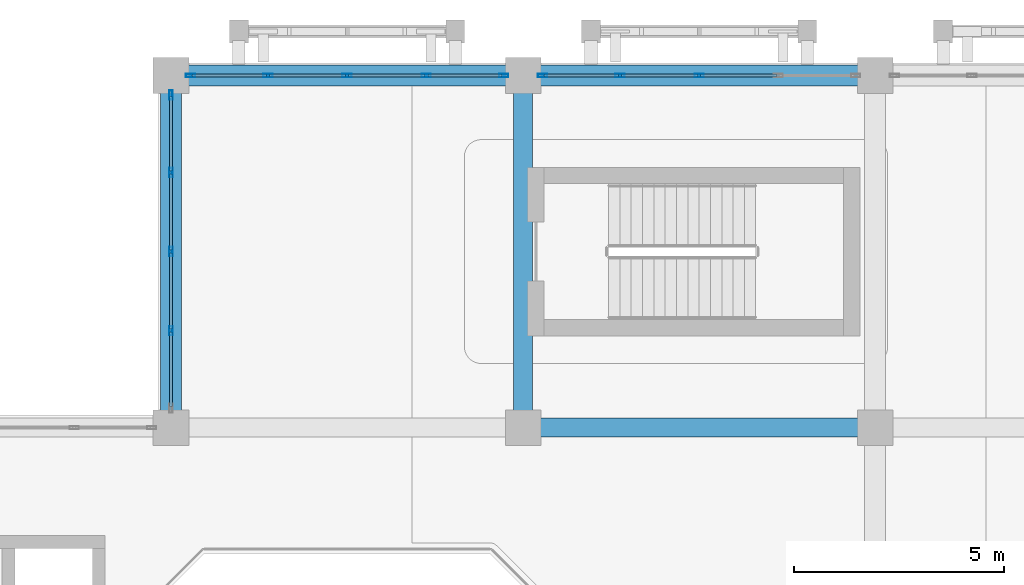
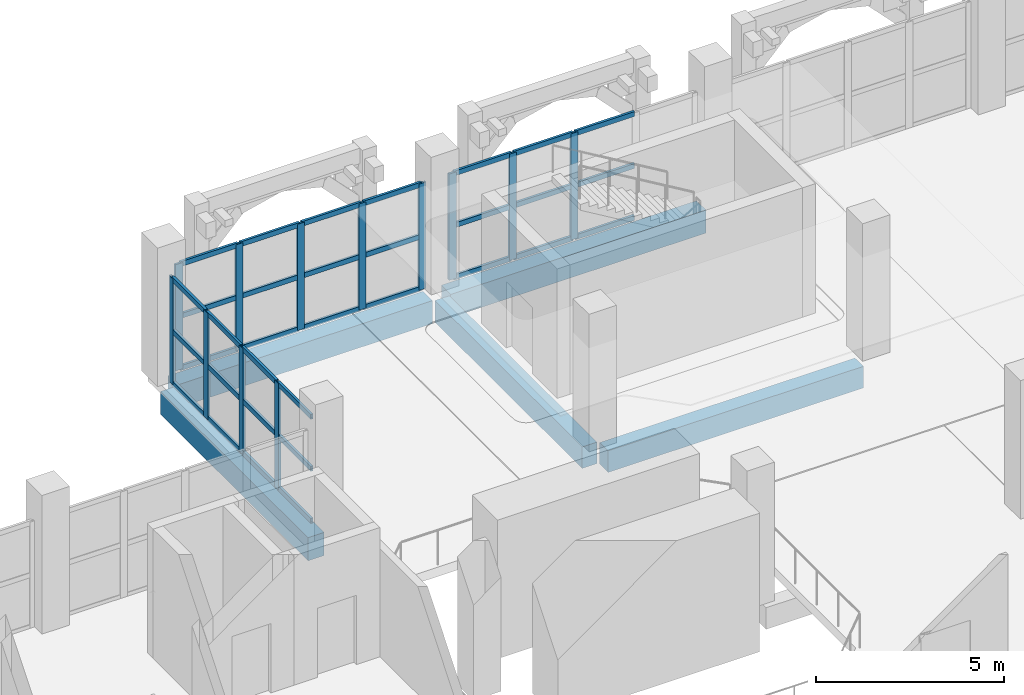
# One storey, part 54 of 129: 45 members, 5 beams, 3 elements without a shape of their own.
"""IFC4 building model written with IfcOpenShell, lengths in metres."""

from ifc_helpers import new_model, si_unit, direction, frame, origin, origin_2d, place, context, subcontext, project, spatial, rectangle, hollow_rectangle, extrude, material, layer, layer_set, material_profile, profile_set, type_object, element, aggregate, save


model = new_model("IFC4")

# Units and contexts
model_context = context("Model", 3, precision=1e-05, world=origin(), true_north=direction((0.0, 1.0)))
body_context = subcontext(model_context, "Body", "Model", "MODEL_VIEW")
ifc_project = project(units=[si_unit("LENGTHUNIT", "METRE"), si_unit("AREAUNIT", "SQUARE_METRE"), si_unit("VOLUMEUNIT", "CUBIC_METRE"), si_unit("PLANEANGLEUNIT", "RADIAN"), si_unit("MASSUNIT", "GRAM", prefix="KILO")], contexts=[model_context])

# Site, building, storey
site_placement = place(None, origin())
site = spatial("IfcSite", under=ifc_project, at=site_placement, CompositionType="ELEMENT")
building_placement = place(site_placement, origin())
building = spatial("IfcBuilding", under=site, at=building_placement, Name="Xazarin Passage Department Store", CompositionType="ELEMENT")
storey_placement = place(building_placement, frame((0.0, 0.0, 9.89990234375)))
storey = spatial("IfcBuildingStorey", under=building, at=storey_placement, Name="L02", CompositionType="ELEMENT", Elevation=9.89990234375)

# Curtain wall, members
ifc_material_1 = material(Name="Bronze anodised aluminium", Category="aluminium")
ifc_layer = layer(ifc_material_1, 0.199951171875)
ifc_layer_set = layer_set([ifc_layer], Name="Bronze anodised aluminium")
curtain_wall_type = type_object("IfcCurtainWallType", Name="ARC-CW-VIT2", PredefinedType="NOTDEFINED", material=ifc_layer_set)
curtain_wall_1_placement = place(storey_placement, origin())
curtain_wall_1 = element("IfcCurtainWall", 1, at=curtain_wall_1_placement, inside=storey, type_object=curtain_wall_type, Name="L02 V1 Curtain Wall 041", PredefinedType="NOTDEFINED")
ifc_material_profile_1 = material_profile(ifc_material_1, hollow_rectangle(XDim=0.074951171875, YDim=0.219970703125, WallThickness=0.0048828125, at=origin_2d()), Name="ALU 75x220")
ifc_profile_set_1 = profile_set([ifc_material_profile_1], Name="Bronze anodised aluminium")
member_type_1 = type_object("IfcMemberType", Name="ARC-CWM-75x220", PredefinedType="MULLION", material=ifc_profile_set_1)
member_1_placement = place(storey_placement, frame((17.262451171875, 110.0, 0.0), z_axis=(0.0, 0.0, 1.0), x_axis=(0.0, 1.0, 0.0)))
member_1 = element("IfcMember", 2, at=member_1_placement, type_object=member_type_1, Name="CW2 mullion 1", PredefinedType="MULLION", context=body_context, shape_type="SweptSolid", body=[
    extrude(hollow_rectangle(XDim=0.074951171875, YDim=0.219970703125, WallThickness=0.0048828125, at=origin_2d()), origin(), (0.0, 0.0, 1.0), 3.4501953125),
])
member_2_placement = place(storey_placement, frame((19.112548828125, 110.0, 0.0), z_axis=(0.0, 0.0, 1.0), x_axis=(0.0, 1.0, 0.0)))
member_2 = element("IfcMember", 3, at=member_2_placement, type_object=member_type_1, Name="CW2 mullion 2", PredefinedType="MULLION", context=body_context, shape_type="SweptSolid", body=[
    extrude(hollow_rectangle(XDim=0.074951171875, YDim=0.219970703125, WallThickness=0.0048828125, at=origin_2d()), origin(), (0.0, 0.0, 1.0), 3.4501953125),
])
member_3_placement = place(storey_placement, frame((21.0, 110.0, 0.0), z_axis=(0.0, 0.0, 1.0), x_axis=(0.0, 1.0, 0.0)))
member_3 = element("IfcMember", 4, at=member_3_placement, type_object=member_type_1, Name="CW2 mullion 3", PredefinedType="MULLION", context=body_context, shape_type="SweptSolid", body=[
    extrude(hollow_rectangle(XDim=0.074951171875, YDim=0.219970703125, WallThickness=0.0048828125, at=origin_2d()), origin(), (0.0, 0.0, 1.0), 3.4501953125),
])
member_4_placement = place(storey_placement, frame((22.887451171875, 110.0, 0.0), z_axis=(0.0, 0.0, 1.0), x_axis=(0.0, 1.0, 0.0)))
member_4 = element("IfcMember", 5, at=member_4_placement, type_object=member_type_1, Name="CW2 mullion 4", PredefinedType="MULLION", context=body_context, shape_type="SweptSolid", body=[
    extrude(hollow_rectangle(XDim=0.074951171875, YDim=0.219970703125, WallThickness=0.0048828125, at=origin_2d()), origin(), (0.0, 0.0, 1.0), 3.4501953125),
])
member_5_placement = place(storey_placement, frame((24.737548828125, 110.0, 0.0), z_axis=(0.0, 0.0, 1.0), x_axis=(0.0, 1.0, 0.0)))
member_5 = element("IfcMember", 6, at=member_5_placement, type_object=member_type_1, Name="CW2 mullion 5", PredefinedType="MULLION", context=body_context, shape_type="SweptSolid", body=[
    extrude(hollow_rectangle(XDim=0.074951171875, YDim=0.219970703125, WallThickness=0.0048828125, at=origin_2d()), origin(), (0.0, 0.0, 1.0), 3.4501953125),
])

curtain_wall_2_placement = place(storey_placement, origin())
curtain_wall_2 = element("IfcCurtainWall", 7, at=curtain_wall_2_placement, inside=storey, type_object=curtain_wall_type, Name="L02 V1 Curtain Wall 042", PredefinedType="NOTDEFINED")
member_6_placement = place(storey_placement, frame((25.66259765625, 110.0, 0.0), z_axis=(0.0, 0.0, 1.0), x_axis=(0.0, 1.0, 0.0)))
member_6 = element("IfcMember", 8, at=member_6_placement, type_object=member_type_1, Name="CW2 mullion 1", PredefinedType="MULLION", context=body_context, shape_type="SweptSolid", body=[
    extrude(hollow_rectangle(XDim=0.074951171875, YDim=0.219970703125, WallThickness=0.0048828125, at=origin_2d()), origin(), (0.0, 0.0, 1.0), 3.4501953125),
])
member_7_placement = place(storey_placement, frame((27.512451171875, 110.0, 0.0), z_axis=(0.0, 0.0, 1.0), x_axis=(0.0, 1.0, 0.0)))
member_7 = element("IfcMember", 9, at=member_7_placement, type_object=member_type_1, Name="CW2 mullion 2", PredefinedType="MULLION", context=body_context, shape_type="SweptSolid", body=[
    extrude(hollow_rectangle(XDim=0.074951171875, YDim=0.219970703125, WallThickness=0.0048828125, at=origin_2d()), origin(), (0.0, 0.0, 1.0), 3.4501953125),
])
member_8_placement = place(storey_placement, frame((29.39990234375, 110.0, 0.0), z_axis=(0.0, 0.0, 1.0), x_axis=(0.0, 1.0, 0.0)))
member_8 = element("IfcMember", 10, at=member_8_placement, type_object=member_type_1, Name="CW2 mullion 3", PredefinedType="MULLION", context=body_context, shape_type="SweptSolid", body=[
    extrude(hollow_rectangle(XDim=0.074951171875, YDim=0.219970703125, WallThickness=0.0048828125, at=origin_2d()), origin(), (0.0, 0.0, 1.0), 3.4501953125),
])

curtain_wall_3_placement = place(storey_placement, origin())
curtain_wall_3 = element("IfcCurtainWall", 11, at=curtain_wall_3_placement, inside=storey, type_object=curtain_wall_type, Name="L02 V1 Curtain Wall 050", PredefinedType="NOTDEFINED")
member_9_placement = place(storey_placement, frame((16.800048828125, 103.91259765625, 0.0), z_axis=(0.0, 0.0, 1.0), x_axis=(-1.0, 0.0, 0.0)))
member_9 = element("IfcMember", 12, at=member_9_placement, type_object=member_type_1, Name="CW2 mullion 2", PredefinedType="MULLION", context=body_context, shape_type="SweptSolid", body=[
    extrude(hollow_rectangle(XDim=0.074951171875, YDim=0.219970703125, WallThickness=0.0048828125, at=origin_2d()), origin(), (0.0, 0.0, 1.0), 3.4501953125),
])
member_10_placement = place(storey_placement, frame((16.800048828125, 105.800048828125, 0.0), z_axis=(0.0, 0.0, 1.0), x_axis=(-1.0, 0.0, 0.0)))
member_10 = element("IfcMember", 13, at=member_10_placement, type_object=member_type_1, Name="CW2 mullion 3", PredefinedType="MULLION", context=body_context, shape_type="SweptSolid", body=[
    extrude(hollow_rectangle(XDim=0.074951171875, YDim=0.219970703125, WallThickness=0.0048828125, at=origin_2d()), origin(), (0.0, 0.0, 1.0), 3.4501953125),
])
member_11_placement = place(storey_placement, frame((16.800048828125, 107.6875, 0.0), z_axis=(0.0, 0.0, 1.0), x_axis=(-1.0, 0.0, 0.0)))
member_11 = element("IfcMember", 14, at=member_11_placement, type_object=member_type_1, Name="CW2 mullion 4", PredefinedType="MULLION", context=body_context, shape_type="SweptSolid", body=[
    extrude(hollow_rectangle(XDim=0.074951171875, YDim=0.219970703125, WallThickness=0.0048828125, at=origin_2d()), origin(), (0.0, 0.0, 1.0), 3.4501953125),
])
member_12_placement = place(storey_placement, frame((16.800048828125, 109.53759765625, 0.0), z_axis=(0.0, 0.0, 1.0), x_axis=(-1.0, 0.0, 0.0)))
member_12 = element("IfcMember", 15, at=member_12_placement, type_object=member_type_1, Name="CW2 mullion 5", PredefinedType="MULLION", context=body_context, shape_type="SweptSolid", body=[
    extrude(hollow_rectangle(XDim=0.074951171875, YDim=0.219970703125, WallThickness=0.0048828125, at=origin_2d()), origin(), (0.0, 0.0, 1.0), 3.4501953125),
])

# Member
ifc_material_profile_2 = material_profile(ifc_material_1, hollow_rectangle(XDim=0.074951171875, YDim=0.159912109375, WallThickness=0.00439453125, at=origin_2d()), Name="ALU 75x160")
ifc_profile_set_2 = profile_set([ifc_material_profile_2], Name="Bronze anodised aluminium")
member_type_2 = type_object("IfcMemberType", Name="ARC-CWT-75x160", PredefinedType="USERDEFINED", material=ifc_profile_set_2)
member_13_placement = place(storey_placement, frame((17.300048828125, 110.0, 0.03759765625), z_axis=(1.0, 0.0, 0.0), x_axis=(0.0, 1.0, 0.0)))
member_13 = element("IfcMember", 16, at=member_13_placement, type_object=member_type_2, Name="CW2 transom 1.1", ObjectType="TRANSOM", PredefinedType="USERDEFINED", context=body_context, shape_type="SweptSolid", body=[
    extrude(hollow_rectangle(XDim=0.074951171875, YDim=0.159912109375, WallThickness=0.00439453125, at=origin_2d()), origin(), (0.0, 0.0, 1.0), 1.77490234375),
])

member_14_placement = place(storey_placement, frame((17.300048828125, 110.0, 1.72509765625), z_axis=(1.0, 0.0, 0.0), x_axis=(0.0, 1.0, 0.0)))
member_14 = element("IfcMember", 17, at=member_14_placement, type_object=member_type_2, Name="CW2 transom 1.2", ObjectType="TRANSOM", PredefinedType="USERDEFINED", context=body_context, shape_type="SweptSolid", body=[
    extrude(hollow_rectangle(XDim=0.074951171875, YDim=0.159912109375, WallThickness=0.00439453125, at=origin_2d()), origin(), (0.0, 0.0, 1.0), 1.77490234375),
])

member_15_placement = place(storey_placement, frame((17.300048828125, 110.0, 3.41259765625), z_axis=(1.0, 0.0, 0.0), x_axis=(0.0, 1.0, 0.0)))
member_15 = element("IfcMember", 18, at=member_15_placement, type_object=member_type_2, Name="CW2 transom 1.3", ObjectType="TRANSOM", PredefinedType="USERDEFINED", context=body_context, shape_type="SweptSolid", body=[
    extrude(hollow_rectangle(XDim=0.074951171875, YDim=0.159912109375, WallThickness=0.00439453125, at=origin_2d()), origin(), (0.0, 0.0, 1.0), 1.77490234375),
])

member_16_placement = place(storey_placement, frame((19.14990234375, 110.0, 0.03759765625), z_axis=(1.0, 0.0, 0.0), x_axis=(0.0, 1.0, 0.0)))
member_16 = element("IfcMember", 19, at=member_16_placement, type_object=member_type_2, Name="CW2 transom 2.1", ObjectType="TRANSOM", PredefinedType="USERDEFINED", context=body_context, shape_type="SweptSolid", body=[
    extrude(hollow_rectangle(XDim=0.074951171875, YDim=0.159912109375, WallThickness=0.00439453125, at=origin_2d()), origin(), (0.0, 0.0, 1.0), 1.8125),
])

member_17_placement = place(storey_placement, frame((19.14990234375, 110.0, 1.72509765625), z_axis=(1.0, 0.0, 0.0), x_axis=(0.0, 1.0, 0.0)))
member_17 = element("IfcMember", 20, at=member_17_placement, type_object=member_type_2, Name="CW2 transom 2.2", ObjectType="TRANSOM", PredefinedType="USERDEFINED", context=body_context, shape_type="SweptSolid", body=[
    extrude(hollow_rectangle(XDim=0.074951171875, YDim=0.159912109375, WallThickness=0.00439453125, at=origin_2d()), origin(), (0.0, 0.0, 1.0), 1.8125),
])

member_18_placement = place(storey_placement, frame((19.14990234375, 110.0, 3.41259765625), z_axis=(1.0, 0.0, 0.0), x_axis=(0.0, 1.0, 0.0)))
member_18 = element("IfcMember", 21, at=member_18_placement, type_object=member_type_2, Name="CW2 transom 2.3", ObjectType="TRANSOM", PredefinedType="USERDEFINED", context=body_context, shape_type="SweptSolid", body=[
    extrude(hollow_rectangle(XDim=0.074951171875, YDim=0.159912109375, WallThickness=0.00439453125, at=origin_2d()), origin(), (0.0, 0.0, 1.0), 1.8125),
])

member_19_placement = place(storey_placement, frame((21.03759765625, 110.0, 0.03759765625), z_axis=(1.0, 0.0, 0.0), x_axis=(0.0, 1.0, 0.0)))
member_19 = element("IfcMember", 22, at=member_19_placement, type_object=member_type_2, Name="CW2 transom 3.1", ObjectType="TRANSOM", PredefinedType="USERDEFINED", context=body_context, shape_type="SweptSolid", body=[
    extrude(hollow_rectangle(XDim=0.074951171875, YDim=0.159912109375, WallThickness=0.00439453125, at=origin_2d()), origin(), (0.0, 0.0, 1.0), 1.8125),
])

member_20_placement = place(storey_placement, frame((21.03759765625, 110.0, 1.72509765625), z_axis=(1.0, 0.0, 0.0), x_axis=(0.0, 1.0, 0.0)))
member_20 = element("IfcMember", 23, at=member_20_placement, type_object=member_type_2, Name="CW2 transom 3.2", ObjectType="TRANSOM", PredefinedType="USERDEFINED", context=body_context, shape_type="SweptSolid", body=[
    extrude(hollow_rectangle(XDim=0.074951171875, YDim=0.159912109375, WallThickness=0.00439453125, at=origin_2d()), origin(), (0.0, 0.0, 1.0), 1.8125),
])

member_21_placement = place(storey_placement, frame((21.03759765625, 110.0, 3.41259765625), z_axis=(1.0, 0.0, 0.0), x_axis=(0.0, 1.0, 0.0)))
member_21 = element("IfcMember", 24, at=member_21_placement, type_object=member_type_2, Name="CW2 transom 3.3", ObjectType="TRANSOM", PredefinedType="USERDEFINED", context=body_context, shape_type="SweptSolid", body=[
    extrude(hollow_rectangle(XDim=0.074951171875, YDim=0.159912109375, WallThickness=0.00439453125, at=origin_2d()), origin(), (0.0, 0.0, 1.0), 1.8125),
])

member_22_placement = place(storey_placement, frame((22.925048828125, 110.0, 0.03759765625), z_axis=(1.0, 0.0, 0.0), x_axis=(0.0, 1.0, 0.0)))
member_22 = element("IfcMember", 25, at=member_22_placement, type_object=member_type_2, Name="CW2 transom 4.1", ObjectType="TRANSOM", PredefinedType="USERDEFINED", context=body_context, shape_type="SweptSolid", body=[
    extrude(hollow_rectangle(XDim=0.074951171875, YDim=0.159912109375, WallThickness=0.00439453125, at=origin_2d()), origin(), (0.0, 0.0, 1.0), 1.77490234375),
])

member_23_placement = place(storey_placement, frame((22.925048828125, 110.0, 1.72509765625), z_axis=(1.0, 0.0, 0.0), x_axis=(0.0, 1.0, 0.0)))
member_23 = element("IfcMember", 26, at=member_23_placement, type_object=member_type_2, Name="CW2 transom 4.2", ObjectType="TRANSOM", PredefinedType="USERDEFINED", context=body_context, shape_type="SweptSolid", body=[
    extrude(hollow_rectangle(XDim=0.074951171875, YDim=0.159912109375, WallThickness=0.00439453125, at=origin_2d()), origin(), (0.0, 0.0, 1.0), 1.77490234375),
])

member_24_placement = place(storey_placement, frame((22.925048828125, 110.0, 3.41259765625), z_axis=(1.0, 0.0, 0.0), x_axis=(0.0, 1.0, 0.0)))
member_24 = element("IfcMember", 27, at=member_24_placement, type_object=member_type_2, Name="CW2 transom 4.3", ObjectType="TRANSOM", PredefinedType="USERDEFINED", context=body_context, shape_type="SweptSolid", body=[
    extrude(hollow_rectangle(XDim=0.074951171875, YDim=0.159912109375, WallThickness=0.00439453125, at=origin_2d()), origin(), (0.0, 0.0, 1.0), 1.77490234375),
])

aggregate(curtain_wall_1, [member_1, member_2, member_3, member_4, member_5, member_13, member_14, member_15, member_16, member_17, member_18, member_19, member_20, member_21, member_22, member_23, member_24])

member_25_placement = place(storey_placement, frame((25.699951171875, 110.0, 0.03759765625), z_axis=(1.0, 0.0, 0.0), x_axis=(0.0, 1.0, 0.0)))
member_25 = element("IfcMember", 28, at=member_25_placement, type_object=member_type_2, Name="CW2 transom 1.1", ObjectType="TRANSOM", PredefinedType="USERDEFINED", context=body_context, shape_type="SweptSolid", body=[
    extrude(hollow_rectangle(XDim=0.074951171875, YDim=0.159912109375, WallThickness=0.00439453125, at=origin_2d()), origin(), (0.0, 0.0, 1.0), 1.775146484375),
])

member_26_placement = place(storey_placement, frame((25.699951171875, 110.0, 1.72509765625), z_axis=(1.0, 0.0, 0.0), x_axis=(0.0, 1.0, 0.0)))
member_26 = element("IfcMember", 29, at=member_26_placement, type_object=member_type_2, Name="CW2 transom 1.2", ObjectType="TRANSOM", PredefinedType="USERDEFINED", context=body_context, shape_type="SweptSolid", body=[
    extrude(hollow_rectangle(XDim=0.074951171875, YDim=0.159912109375, WallThickness=0.00439453125, at=origin_2d()), origin(), (0.0, 0.0, 1.0), 1.775146484375),
])

member_27_placement = place(storey_placement, frame((25.699951171875, 110.0, 3.41259765625), z_axis=(1.0, 0.0, 0.0), x_axis=(0.0, 1.0, 0.0)))
member_27 = element("IfcMember", 30, at=member_27_placement, type_object=member_type_2, Name="CW2 transom 1.3", ObjectType="TRANSOM", PredefinedType="USERDEFINED", context=body_context, shape_type="SweptSolid", body=[
    extrude(hollow_rectangle(XDim=0.074951171875, YDim=0.159912109375, WallThickness=0.00439453125, at=origin_2d()), origin(), (0.0, 0.0, 1.0), 1.775146484375),
])

member_28_placement = place(storey_placement, frame((27.550048828125, 110.0, 0.03759765625), z_axis=(1.0, 0.0, 0.0), x_axis=(0.0, 1.0, 0.0)))
member_28 = element("IfcMember", 31, at=member_28_placement, type_object=member_type_2, Name="CW2 transom 2.1", ObjectType="TRANSOM", PredefinedType="USERDEFINED", context=body_context, shape_type="SweptSolid", body=[
    extrude(hollow_rectangle(XDim=0.074951171875, YDim=0.159912109375, WallThickness=0.00439453125, at=origin_2d()), origin(), (0.0, 0.0, 1.0), 1.8125),
])

member_29_placement = place(storey_placement, frame((27.550048828125, 110.0, 1.72509765625), z_axis=(1.0, 0.0, 0.0), x_axis=(0.0, 1.0, 0.0)))
member_29 = element("IfcMember", 32, at=member_29_placement, type_object=member_type_2, Name="CW2 transom 2.2", ObjectType="TRANSOM", PredefinedType="USERDEFINED", context=body_context, shape_type="SweptSolid", body=[
    extrude(hollow_rectangle(XDim=0.074951171875, YDim=0.159912109375, WallThickness=0.00439453125, at=origin_2d()), origin(), (0.0, 0.0, 1.0), 1.8125),
])

member_30_placement = place(storey_placement, frame((27.550048828125, 110.0, 3.41259765625), z_axis=(1.0, 0.0, 0.0), x_axis=(0.0, 1.0, 0.0)))
member_30 = element("IfcMember", 33, at=member_30_placement, type_object=member_type_2, Name="CW2 transom 2.3", ObjectType="TRANSOM", PredefinedType="USERDEFINED", context=body_context, shape_type="SweptSolid", body=[
    extrude(hollow_rectangle(XDim=0.074951171875, YDim=0.159912109375, WallThickness=0.00439453125, at=origin_2d()), origin(), (0.0, 0.0, 1.0), 1.8125),
])

member_31_placement = place(storey_placement, frame((29.4375, 110.0, 0.03759765625), z_axis=(1.0, 0.0, 0.0), x_axis=(0.0, 1.0, 0.0)))
member_31 = element("IfcMember", 34, at=member_31_placement, type_object=member_type_2, Name="CW2 transom 3.1", ObjectType="TRANSOM", PredefinedType="USERDEFINED", context=body_context, shape_type="SweptSolid", body=[
    extrude(hollow_rectangle(XDim=0.074951171875, YDim=0.159912109375, WallThickness=0.00439453125, at=origin_2d()), origin(), (0.0, 0.0, 1.0), 1.8125),
])

member_32_placement = place(storey_placement, frame((29.4375, 110.0, 1.72509765625), z_axis=(1.0, 0.0, 0.0), x_axis=(0.0, 1.0, 0.0)))
member_32 = element("IfcMember", 35, at=member_32_placement, type_object=member_type_2, Name="CW2 transom 3.2", ObjectType="TRANSOM", PredefinedType="USERDEFINED", context=body_context, shape_type="SweptSolid", body=[
    extrude(hollow_rectangle(XDim=0.074951171875, YDim=0.159912109375, WallThickness=0.00439453125, at=origin_2d()), origin(), (0.0, 0.0, 1.0), 1.8125),
])

member_33_placement = place(storey_placement, frame((29.4375, 110.0, 3.41259765625), z_axis=(1.0, 0.0, 0.0), x_axis=(0.0, 1.0, 0.0)))
member_33 = element("IfcMember", 36, at=member_33_placement, type_object=member_type_2, Name="CW2 transom 3.3", ObjectType="TRANSOM", PredefinedType="USERDEFINED", context=body_context, shape_type="SweptSolid", body=[
    extrude(hollow_rectangle(XDim=0.074951171875, YDim=0.159912109375, WallThickness=0.00439453125, at=origin_2d()), origin(), (0.0, 0.0, 1.0), 1.8125),
])

aggregate(curtain_wall_2, [member_6, member_7, member_8, member_25, member_26, member_27, member_28, member_29, member_30, member_31, member_32, member_33])

member_34_placement = place(storey_placement, frame((16.800048828125, 102.10009765625, 0.03759765625), z_axis=(0.0, 1.0, 0.0), x_axis=(-1.0, 0.0, 0.0)))
member_34 = element("IfcMember", 37, at=member_34_placement, type_object=member_type_2, Name="CW2 transom 1.1", ObjectType="TRANSOM", PredefinedType="USERDEFINED", context=body_context, shape_type="SweptSolid", body=[
    extrude(hollow_rectangle(XDim=0.074951171875, YDim=0.159912109375, WallThickness=0.00439453125, at=origin_2d()), origin(), (0.0, 0.0, 1.0), 1.77490234375),
])

member_35_placement = place(storey_placement, frame((16.800048828125, 102.10009765625, 1.72509765625), z_axis=(0.0, 1.0, 0.0), x_axis=(-1.0, 0.0, 0.0)))
member_35 = element("IfcMember", 38, at=member_35_placement, type_object=member_type_2, Name="CW2 transom 1.2", ObjectType="TRANSOM", PredefinedType="USERDEFINED", context=body_context, shape_type="SweptSolid", body=[
    extrude(hollow_rectangle(XDim=0.074951171875, YDim=0.159912109375, WallThickness=0.00439453125, at=origin_2d()), origin(), (0.0, 0.0, 1.0), 1.77490234375),
])

member_36_placement = place(storey_placement, frame((16.800048828125, 102.10009765625, 3.41259765625), z_axis=(0.0, 1.0, 0.0), x_axis=(-1.0, 0.0, 0.0)))
member_36 = element("IfcMember", 39, at=member_36_placement, type_object=member_type_2, Name="CW2 transom 1.3", ObjectType="TRANSOM", PredefinedType="USERDEFINED", context=body_context, shape_type="SweptSolid", body=[
    extrude(hollow_rectangle(XDim=0.074951171875, YDim=0.159912109375, WallThickness=0.00439453125, at=origin_2d()), origin(), (0.0, 0.0, 1.0), 1.77490234375),
])

member_37_placement = place(storey_placement, frame((16.800048828125, 103.949951171875, 0.03759765625), z_axis=(0.0, 1.0, 0.0), x_axis=(-1.0, 0.0, 0.0)))
member_37 = element("IfcMember", 40, at=member_37_placement, type_object=member_type_2, Name="CW2 transom 2.1", ObjectType="TRANSOM", PredefinedType="USERDEFINED", context=body_context, shape_type="SweptSolid", body=[
    extrude(hollow_rectangle(XDim=0.074951171875, YDim=0.159912109375, WallThickness=0.00439453125, at=origin_2d()), origin(), (0.0, 0.0, 1.0), 1.8125),
])

member_38_placement = place(storey_placement, frame((16.800048828125, 103.949951171875, 1.72509765625), z_axis=(0.0, 1.0, 0.0), x_axis=(-1.0, 0.0, 0.0)))
member_38 = element("IfcMember", 41, at=member_38_placement, type_object=member_type_2, Name="CW2 transom 2.2", ObjectType="TRANSOM", PredefinedType="USERDEFINED", context=body_context, shape_type="SweptSolid", body=[
    extrude(hollow_rectangle(XDim=0.074951171875, YDim=0.159912109375, WallThickness=0.00439453125, at=origin_2d()), origin(), (0.0, 0.0, 1.0), 1.8125),
])

member_39_placement = place(storey_placement, frame((16.800048828125, 103.949951171875, 3.41259765625), z_axis=(0.0, 1.0, 0.0), x_axis=(-1.0, 0.0, 0.0)))
member_39 = element("IfcMember", 42, at=member_39_placement, type_object=member_type_2, Name="CW2 transom 2.3", ObjectType="TRANSOM", PredefinedType="USERDEFINED", context=body_context, shape_type="SweptSolid", body=[
    extrude(hollow_rectangle(XDim=0.074951171875, YDim=0.159912109375, WallThickness=0.00439453125, at=origin_2d()), origin(), (0.0, 0.0, 1.0), 1.8125),
])

member_40_placement = place(storey_placement, frame((16.800048828125, 105.83740234375, 0.03759765625), z_axis=(0.0, 1.0, 0.0), x_axis=(-1.0, 0.0, 0.0)))
member_40 = element("IfcMember", 43, at=member_40_placement, type_object=member_type_2, Name="CW2 transom 3.1", ObjectType="TRANSOM", PredefinedType="USERDEFINED", context=body_context, shape_type="SweptSolid", body=[
    extrude(hollow_rectangle(XDim=0.074951171875, YDim=0.159912109375, WallThickness=0.00439453125, at=origin_2d()), origin(), (0.0, 0.0, 1.0), 1.8125),
])

member_41_placement = place(storey_placement, frame((16.800048828125, 105.83740234375, 1.72509765625), z_axis=(0.0, 1.0, 0.0), x_axis=(-1.0, 0.0, 0.0)))
member_41 = element("IfcMember", 44, at=member_41_placement, type_object=member_type_2, Name="CW2 transom 3.2", ObjectType="TRANSOM", PredefinedType="USERDEFINED", context=body_context, shape_type="SweptSolid", body=[
    extrude(hollow_rectangle(XDim=0.074951171875, YDim=0.159912109375, WallThickness=0.00439453125, at=origin_2d()), origin(), (0.0, 0.0, 1.0), 1.8125),
])

member_42_placement = place(storey_placement, frame((16.800048828125, 105.83740234375, 3.41259765625), z_axis=(0.0, 1.0, 0.0), x_axis=(-1.0, 0.0, 0.0)))
member_42 = element("IfcMember", 45, at=member_42_placement, type_object=member_type_2, Name="CW2 transom 3.3", ObjectType="TRANSOM", PredefinedType="USERDEFINED", context=body_context, shape_type="SweptSolid", body=[
    extrude(hollow_rectangle(XDim=0.074951171875, YDim=0.159912109375, WallThickness=0.00439453125, at=origin_2d()), origin(), (0.0, 0.0, 1.0), 1.8125),
])

member_43_placement = place(storey_placement, frame((16.800048828125, 107.72509765625, 0.03759765625), z_axis=(0.0, 1.0, 0.0), x_axis=(-1.0, 0.0, 0.0)))
member_43 = element("IfcMember", 46, at=member_43_placement, type_object=member_type_2, Name="CW2 transom 4.1", ObjectType="TRANSOM", PredefinedType="USERDEFINED", context=body_context, shape_type="SweptSolid", body=[
    extrude(hollow_rectangle(XDim=0.074951171875, YDim=0.159912109375, WallThickness=0.00439453125, at=origin_2d()), origin(), (0.0, 0.0, 1.0), 1.77490234375),
])

member_44_placement = place(storey_placement, frame((16.800048828125, 107.72509765625, 1.72509765625), z_axis=(0.0, 1.0, 0.0), x_axis=(-1.0, 0.0, 0.0)))
member_44 = element("IfcMember", 47, at=member_44_placement, type_object=member_type_2, Name="CW2 transom 4.2", ObjectType="TRANSOM", PredefinedType="USERDEFINED", context=body_context, shape_type="SweptSolid", body=[
    extrude(hollow_rectangle(XDim=0.074951171875, YDim=0.159912109375, WallThickness=0.00439453125, at=origin_2d()), origin(), (0.0, 0.0, 1.0), 1.77490234375),
])

member_45_placement = place(storey_placement, frame((16.800048828125, 107.72509765625, 3.41259765625), z_axis=(0.0, 1.0, 0.0), x_axis=(-1.0, 0.0, 0.0)))
member_45 = element("IfcMember", 48, at=member_45_placement, type_object=member_type_2, Name="CW2 transom 4.3", ObjectType="TRANSOM", PredefinedType="USERDEFINED", context=body_context, shape_type="SweptSolid", body=[
    extrude(hollow_rectangle(XDim=0.074951171875, YDim=0.159912109375, WallThickness=0.00439453125, at=origin_2d()), origin(), (0.0, 0.0, 1.0), 1.77490234375),
])

aggregate(curtain_wall_3, [member_9, member_10, member_11, member_12, member_34, member_35, member_36, member_37, member_38, member_39, member_40, member_41, member_42, member_43, member_44, member_45])

# Beams
ifc_material_2 = material(Name="Concrete C35/45", Category="concrete")
ifc_material_profile_3 = material_profile(ifc_material_2, rectangle(XDim=0.449951171875, YDim=0.699951171875, at=origin_2d()), Name="RC 450x700")
ifc_profile_set_3 = profile_set([ifc_material_profile_3], Name="Concrete C35/45")
beam_type_1 = type_object("IfcBeamType", Name="STR-BM-G450x700", PredefinedType="BEAM", material=ifc_profile_set_3)
for number, where, z_axis, x_axis, name in (
    (49, (25.47998046875, 101.60009765625, -0.64990234375), (1.0, 0.0, 0.0), (0.0, 1.0, 0.0), "L02 Grid Beam P/4-5"),
    (50, (25.199951171875, 101.8798828125, -0.64990234375), (0.0, 1.0, 0.0), (-1.0, 0.0, 0.0), "L02 Grid Beam 4/P-Q"),
):
    element("IfcBeam", number, at=place(storey_placement, frame(where, z_axis=z_axis, x_axis=x_axis)), inside=storey, type_object=beam_type_1, Name=name, PredefinedType="BEAM", context=body_context, shape_type="SweptSolid", body=[
        extrude(rectangle(XDim=0.449951171875, YDim=0.699951171875, at=origin_2d()), origin(), (0.0, 0.0, 1.0), 7.840087890625),
    ])
ifc_material_profile_4 = material_profile(ifc_material_2, rectangle(XDim=0.5, YDim=0.75, at=origin_2d()), Name="RC 500x750")
ifc_profile_set_4 = profile_set([ifc_material_profile_4], Name="Concrete C35/45")
beam_type_2 = type_object("IfcBeamType", Name="STR-BM-SP500x750", PredefinedType="SPANDREL", material=ifc_profile_set_4)
beam_placement = place(storey_placement, frame((17.080078125, 110.0, -0.6748046875), z_axis=(1.0, 0.0, 0.0), x_axis=(0.0, 1.0, 0.0)))
element("IfcBeam", 51, at=beam_placement, inside=storey, type_object=beam_type_2, Name="L02 Grid Beam Q/3-4", PredefinedType="SPANDREL", context=body_context, shape_type="SweptSolid", body=[
    extrude(rectangle(XDim=0.5, YDim=0.75, at=origin_2d()), origin(), (0.0, 0.0, 1.0), 7.83984375),
])
for number, where, z_axis, x_axis, name in (
    (52, (25.47998046875, 110.0, -0.6748046875), (1.0, 0.0, 0.0), (0.0, 1.0, 0.0), "L02 Grid Beam Q/4-5"),
    (53, (16.800048828125, 101.8798828125, -0.6748046875), (0.0, 1.0, 0.0), (-1.0, 0.0, 0.0), "L02 Grid Beam 3/P-Q"),
):
    element("IfcBeam", number, at=place(storey_placement, frame(where, z_axis=z_axis, x_axis=x_axis)), inside=storey, type_object=beam_type_2, Name=name, PredefinedType="SPANDREL", context=body_context, shape_type="SweptSolid", body=[
        extrude(rectangle(XDim=0.5, YDim=0.75, at=origin_2d()), origin(), (0.0, 0.0, 1.0), 7.840087890625),
    ])

save(model, "model.ifc")
